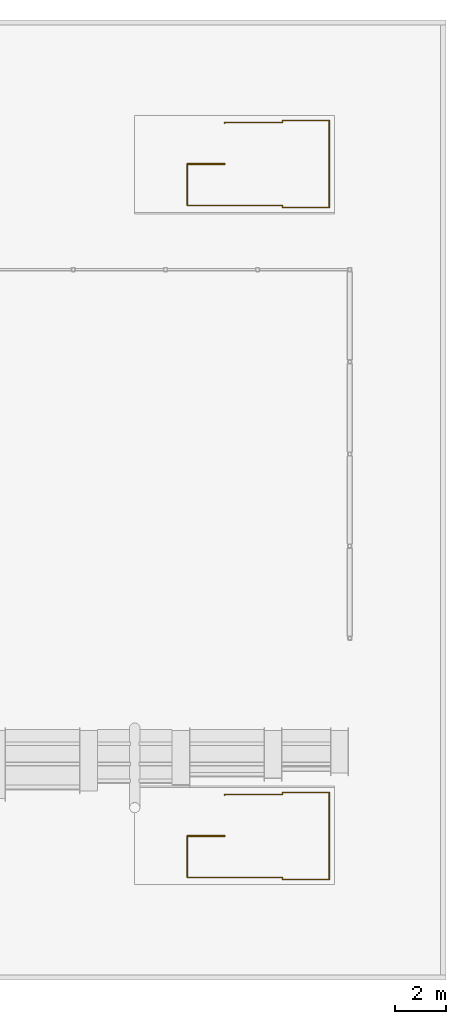
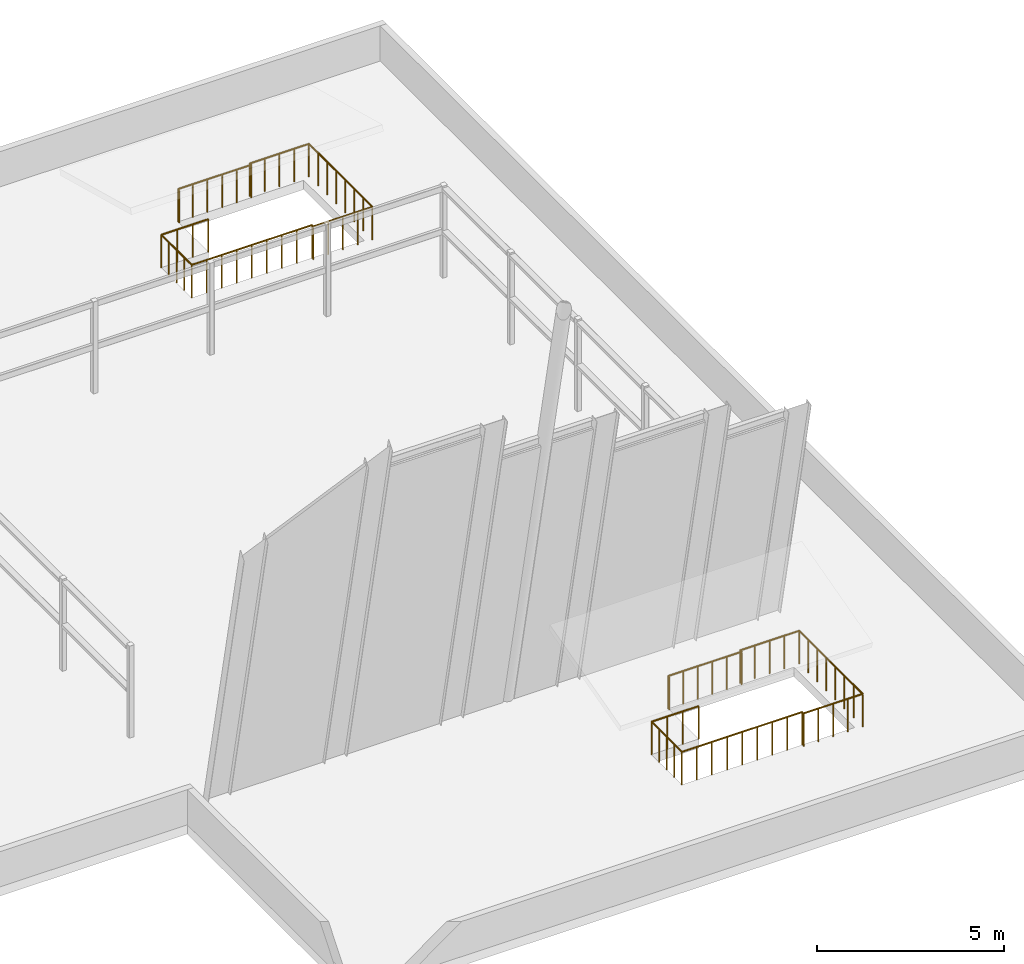
# One storey, part 5 of 5: 4 railings.
"""IFC4 building model written with IfcOpenShell, lengths in metres."""

from ifc_helpers import new_model, si_unit, direction, frame, origin, origin_2d, place, context, subcontext, project, spatial, circle, extrude, material, type_object, element, save


model = new_model("IFC4")

# Units and contexts
model_context = context("Model", 3, precision=1e-05, world=origin(), true_north=direction((0.0, 1.0)))
body_context = subcontext(model_context, "Body", "Model", "MODEL_VIEW")
ifc_project = project(units=[si_unit("LENGTHUNIT", "METRE"), si_unit("AREAUNIT", "SQUARE_METRE"), si_unit("VOLUMEUNIT", "CUBIC_METRE"), si_unit("PLANEANGLEUNIT", "RADIAN"), si_unit("MASSUNIT", "GRAM", prefix="KILO")], contexts=[model_context])

# Site, building, storey
site_placement = place(None, origin())
site = spatial("IfcSite", under=ifc_project, at=site_placement, CompositionType="ELEMENT")
building_placement = place(site_placement, origin())
building = spatial("IfcBuilding", under=site, at=building_placement, Name="Tuart Plaza Theatre", CompositionType="ELEMENT")
storey_placement = place(building_placement, frame((0.0, 0.0, 70.5)))
storey = spatial("IfcBuildingStorey", under=building, at=storey_placement, Name="ROOF", CompositionType="ELEMENT", Elevation=70.5)

# Railings
ifc_material = material(Name="Steel Grade C350L0", Category="steel")
railing_type = type_object("IfcRailingType", Name="RAILING Guard 1100", PredefinedType="GUARDRAIL", material=ifc_material)
railing_1_placement = place(storey_placement, frame((134.655029296875, 60.875, 0.0)))
element("IfcRailing", 1, at=railing_1_placement, inside=storey, type_object=railing_type, Name="GR453", PredefinedType="GUARDRAIL", context=body_context, shape_type="SweptSolid", body=[
    extrude(circle(Radius=0.02490234375, at=origin_2d()), frame((0.0, 0.0, 1.0751953125), z_axis=(1.0, 0.0, 0.0), x_axis=(0.0, 1.0, 0.0)), (0.0, 0.0, 1.0), 1.455078125),
    extrude(circle(Radius=0.02001953125, at=origin_2d()), origin(), (0.0, 0.0, 1.0), 1.050048828125),
    extrude(circle(Radius=0.02001953125, at=origin_2d()), frame((0.485107421875, 0.0, 0.0)), (0.0, 0.0, 1.0), 1.050048828125),
    extrude(circle(Radius=0.02001953125, at=origin_2d()), frame((0.969970703125, 0.0, 0.0)), (0.0, 0.0, 1.0), 1.050048828125),
    extrude(circle(Radius=0.02001953125, at=origin_2d()), frame((1.455078125, 0.0, 0.0)), (0.0, 0.0, 1.0), 1.050048828125),
])
railing_2_placement = place(storey_placement, frame((136.114990234375, 62.455078125, 0.0)))
element("IfcRailing", 2, at=railing_2_placement, inside=storey, type_object=railing_type, Name="GR454", PredefinedType="GUARDRAIL", context=body_context, shape_type="SweptSolid", body=[
    extrude(circle(Radius=0.02490234375, at=origin_2d()), frame((0.0, 0.0, 1.0751953125), z_axis=(0.0, 1.0, 0.0), x_axis=(-1.0, 0.0, 0.0)), (0.0, 0.0, 1.0), 0.044921875),
    extrude(circle(Radius=0.02490234375, at=origin_2d()), frame((0.0, 0.044921875, 1.0751953125), z_axis=(1.0, 0.0, 0.0), x_axis=(0.0, 1.0, 0.0)), (0.0, 0.0, 1.0), 2.260009765625),
    extrude(circle(Radius=0.02490234375, at=origin_2d()), frame((2.260009765625, 0.044921875, 1.0751953125), z_axis=(0.0, 1.0, 0.0), x_axis=(-1.0, 0.0, 0.0)), (0.0, 0.0, 1.0), 0.074951171875),
    extrude(circle(Radius=0.02490234375, at=origin_2d()), frame((2.260009765625, 0.119873046875, 1.0751953125), z_axis=(1.0, 0.0, 0.0), x_axis=(0.0, 1.0, 0.0)), (0.0, 0.0, 1.0), 1.824951171875),
    extrude(circle(Radius=0.02490234375, at=origin_2d()), frame((4.0849609375, 0.119873046875, 1.0751953125), z_axis=(0.0, -1.0, 0.0), x_axis=(1.0, 0.0, 0.0)), (0.0, 0.0, 1.0), 3.39990234375),
    extrude(circle(Radius=0.02490234375, at=origin_2d()), frame((4.0849609375, -3.280029296875, 1.0751953125), z_axis=(-1.0, 0.0, 0.0), x_axis=(0.0, -1.0, 0.0)), (0.0, 0.0, 1.0), 1.824951171875),
    extrude(circle(Radius=0.02490234375, at=origin_2d()), frame((2.260009765625, -3.280029296875, 1.0751953125), z_axis=(0.0, 1.0, 0.0), x_axis=(-1.0, 0.0, 0.0)), (0.0, 0.0, 1.0), 0.074951171875),
    extrude(circle(Radius=0.02490234375, at=origin_2d()), frame((2.260009765625, -3.205078125, 1.0751953125), z_axis=(-1.0, 0.0, 0.0), x_axis=(0.0, -1.0, 0.0)), (0.0, 0.0, 1.0), 3.719970703125),
    extrude(circle(Radius=0.02490234375, at=origin_2d()), frame((-1.4599609375, -3.205078125, 1.0751953125), z_axis=(0.0, 1.0, 0.0), x_axis=(-1.0, 0.0, 0.0)), (0.0, 0.0, 1.0), 1.625),
    extrude(circle(Radius=0.02001953125, at=origin_2d()), origin(), (0.0, 0.0, 1.0), 1.050048828125),
    extrude(circle(Radius=0.02001953125, at=origin_2d()), frame((0.0, 0.044921875, 0.0)), (0.0, 0.0, 1.0), 1.050048828125),
    extrude(circle(Radius=0.02001953125, at=origin_2d()), frame((0.451904296875, 0.044921875, 0.0)), (0.0, 0.0, 1.0), 1.050048828125),
    extrude(circle(Radius=0.02001953125, at=origin_2d()), frame((0.904052734375, 0.044921875, 0.0)), (0.0, 0.0, 1.0), 1.050048828125),
    extrude(circle(Radius=0.02001953125, at=origin_2d()), frame((1.35595703125, 0.044921875, 0.0)), (0.0, 0.0, 1.0), 1.050048828125),
    extrude(circle(Radius=0.02001953125, at=origin_2d()), frame((1.80810546875, 0.044921875, 0.0)), (0.0, 0.0, 1.0), 1.050048828125),
    extrude(circle(Radius=0.02001953125, at=origin_2d()), frame((2.260009765625, 0.044921875, 0.0)), (0.0, 0.0, 1.0), 1.050048828125),
    extrude(circle(Radius=0.02001953125, at=origin_2d()), frame((2.260009765625, 0.119873046875, 0.0)), (0.0, 0.0, 1.0), 1.050048828125),
    extrude(circle(Radius=0.02001953125, at=origin_2d()), frame((2.71630859375, 0.119873046875, 0.0)), (0.0, 0.0, 1.0), 1.050048828125),
    extrude(circle(Radius=0.02001953125, at=origin_2d()), frame((3.17236328125, 0.119873046875, 0.0)), (0.0, 0.0, 1.0), 1.050048828125),
    extrude(circle(Radius=0.02001953125, at=origin_2d()), frame((3.628662109375, 0.119873046875, 0.0)), (0.0, 0.0, 1.0), 1.050048828125),
    extrude(circle(Radius=0.02001953125, at=origin_2d()), frame((4.0849609375, 0.119873046875, 0.0)), (0.0, 0.0, 1.0), 1.050048828125),
    extrude(circle(Radius=0.02001953125, at=origin_2d()), frame((4.0849609375, -0.36572265625, 0.0)), (0.0, 0.0, 1.0), 1.050048828125),
    extrude(circle(Radius=0.02001953125, at=origin_2d()), frame((4.0849609375, -0.8515625, 0.0)), (0.0, 0.0, 1.0), 1.050048828125),
    extrude(circle(Radius=0.02001953125, at=origin_2d()), frame((4.0849609375, -1.337158203125, 0.0)), (0.0, 0.0, 1.0), 1.050048828125),
    extrude(circle(Radius=0.02001953125, at=origin_2d()), frame((4.0849609375, -1.822998046875, 0.0)), (0.0, 0.0, 1.0), 1.050048828125),
    extrude(circle(Radius=0.02001953125, at=origin_2d()), frame((4.0849609375, -2.30859375, 0.0)), (0.0, 0.0, 1.0), 1.050048828125),
    extrude(circle(Radius=0.02001953125, at=origin_2d()), frame((4.0849609375, -2.79443359375, 0.0)), (0.0, 0.0, 1.0), 1.050048828125),
    extrude(circle(Radius=0.02001953125, at=origin_2d()), frame((4.0849609375, -3.280029296875, 0.0)), (0.0, 0.0, 1.0), 1.050048828125),
    extrude(circle(Radius=0.02001953125, at=origin_2d()), frame((3.628662109375, -3.280029296875, 0.0)), (0.0, 0.0, 1.0), 1.050048828125),
    extrude(circle(Radius=0.02001953125, at=origin_2d()), frame((3.17236328125, -3.280029296875, 0.0)), (0.0, 0.0, 1.0), 1.050048828125),
    extrude(circle(Radius=0.02001953125, at=origin_2d()), frame((2.71630859375, -3.280029296875, 0.0)), (0.0, 0.0, 1.0), 1.050048828125),
    extrude(circle(Radius=0.02001953125, at=origin_2d()), frame((2.260009765625, -3.280029296875, 0.0)), (0.0, 0.0, 1.0), 1.050048828125),
    extrude(circle(Radius=0.02001953125, at=origin_2d()), frame((2.260009765625, -3.205078125, 0.0)), (0.0, 0.0, 1.0), 1.050048828125),
    extrude(circle(Radius=0.02001953125, at=origin_2d()), frame((1.794921875, -3.205078125, 0.0)), (0.0, 0.0, 1.0), 1.050048828125),
    extrude(circle(Radius=0.02001953125, at=origin_2d()), frame((1.330078125, -3.205078125, 0.0)), (0.0, 0.0, 1.0), 1.050048828125),
    extrude(circle(Radius=0.02001953125, at=origin_2d()), frame((0.864990234375, -3.205078125, 0.0)), (0.0, 0.0, 1.0), 1.050048828125),
    extrude(circle(Radius=0.02001953125, at=origin_2d()), frame((0.39990234375, -3.205078125, 0.0)), (0.0, 0.0, 1.0), 1.050048828125),
    extrude(circle(Radius=0.02001953125, at=origin_2d()), frame((-0.06494140625, -3.205078125, 0.0)), (0.0, 0.0, 1.0), 1.050048828125),
    extrude(circle(Radius=0.02001953125, at=origin_2d()), frame((-0.530029296875, -3.205078125, 0.0)), (0.0, 0.0, 1.0), 1.050048828125),
    extrude(circle(Radius=0.02001953125, at=origin_2d()), frame((-0.994873046875, -3.205078125, 0.0)), (0.0, 0.0, 1.0), 1.050048828125),
    extrude(circle(Radius=0.02001953125, at=origin_2d()), frame((-1.4599609375, -3.205078125, 0.0)), (0.0, 0.0, 1.0), 1.050048828125),
    extrude(circle(Radius=0.02001953125, at=origin_2d()), frame((-1.4599609375, -2.798828125, 0.0)), (0.0, 0.0, 1.0), 1.050048828125),
    extrude(circle(Radius=0.02001953125, at=origin_2d()), frame((-1.4599609375, -2.392578125, 0.0)), (0.0, 0.0, 1.0), 1.050048828125),
    extrude(circle(Radius=0.02001953125, at=origin_2d()), frame((-1.4599609375, -1.986328125, 0.0)), (0.0, 0.0, 1.0), 1.050048828125),
    extrude(circle(Radius=0.02001953125, at=origin_2d()), frame((-1.4599609375, -1.580078125, 0.0)), (0.0, 0.0, 1.0), 1.050048828125),
])
railing_3_placement = place(storey_placement, frame((134.655029296875, 87.125, 0.0)))
element("IfcRailing", 3, at=railing_3_placement, inside=storey, type_object=railing_type, Name="GR458", PredefinedType="GUARDRAIL", context=body_context, shape_type="SweptSolid", body=[
    extrude(circle(Radius=0.02490234375, at=origin_2d()), frame((0.0, 0.0, 1.0751953125), z_axis=(1.0, 0.0, 0.0), x_axis=(0.0, 1.0, 0.0)), (0.0, 0.0, 1.0), 1.455078125),
    extrude(circle(Radius=0.02001953125, at=origin_2d()), origin(), (0.0, 0.0, 1.0), 1.050048828125),
    extrude(circle(Radius=0.02001953125, at=origin_2d()), frame((0.485107421875, 0.0, 0.0)), (0.0, 0.0, 1.0), 1.050048828125),
    extrude(circle(Radius=0.02001953125, at=origin_2d()), frame((0.969970703125, 0.0, 0.0)), (0.0, 0.0, 1.0), 1.050048828125),
    extrude(circle(Radius=0.02001953125, at=origin_2d()), frame((1.455078125, 0.0, 0.0)), (0.0, 0.0, 1.0), 1.050048828125),
])
railing_4_placement = place(storey_placement, frame((136.114990234375, 88.705078125, 0.0)))
element("IfcRailing", 4, at=railing_4_placement, inside=storey, type_object=railing_type, Name="GR459", PredefinedType="GUARDRAIL", context=body_context, shape_type="SweptSolid", body=[
    extrude(circle(Radius=0.02490234375, at=origin_2d()), frame((0.0, 0.0, 1.0751953125), z_axis=(0.0, 1.0, 0.0), x_axis=(-1.0, 0.0, 0.0)), (0.0, 0.0, 1.0), 0.044921875),
    extrude(circle(Radius=0.02490234375, at=origin_2d()), frame((0.0, 0.044921875, 1.0751953125), z_axis=(1.0, 0.0, 0.0), x_axis=(0.0, 1.0, 0.0)), (0.0, 0.0, 1.0), 2.260009765625),
    extrude(circle(Radius=0.02490234375, at=origin_2d()), frame((2.260009765625, 0.044921875, 1.0751953125), z_axis=(0.0, 1.0, 0.0), x_axis=(-1.0, 0.0, 0.0)), (0.0, 0.0, 1.0), 0.074951171875),
    extrude(circle(Radius=0.02490234375, at=origin_2d()), frame((2.260009765625, 0.119873046875, 1.0751953125), z_axis=(1.0, 0.0, 0.0), x_axis=(0.0, 1.0, 0.0)), (0.0, 0.0, 1.0), 1.824951171875),
    extrude(circle(Radius=0.02490234375, at=origin_2d()), frame((4.0849609375, 0.119873046875, 1.0751953125), z_axis=(0.0, -1.0, 0.0), x_axis=(1.0, 0.0, 0.0)), (0.0, 0.0, 1.0), 3.39990234375),
    extrude(circle(Radius=0.02490234375, at=origin_2d()), frame((4.0849609375, -3.280029296875, 1.0751953125), z_axis=(-1.0, 0.0, 0.0), x_axis=(0.0, -1.0, 0.0)), (0.0, 0.0, 1.0), 1.824951171875),
    extrude(circle(Radius=0.02490234375, at=origin_2d()), frame((2.260009765625, -3.280029296875, 1.0751953125), z_axis=(0.0, 1.0, 0.0), x_axis=(-1.0, 0.0, 0.0)), (0.0, 0.0, 1.0), 0.074951171875),
    extrude(circle(Radius=0.02490234375, at=origin_2d()), frame((2.260009765625, -3.205078125, 1.0751953125), z_axis=(-1.0, 0.0, 0.0), x_axis=(0.0, -1.0, 0.0)), (0.0, 0.0, 1.0), 3.719970703125),
    extrude(circle(Radius=0.02490234375, at=origin_2d()), frame((-1.4599609375, -3.205078125, 1.0751953125), z_axis=(0.0, 1.0, 0.0), x_axis=(-1.0, 0.0, 0.0)), (0.0, 0.0, 1.0), 1.625),
    extrude(circle(Radius=0.02001953125, at=origin_2d()), origin(), (0.0, 0.0, 1.0), 1.050048828125),
    extrude(circle(Radius=0.02001953125, at=origin_2d()), frame((0.0, 0.044921875, 0.0)), (0.0, 0.0, 1.0), 1.050048828125),
    extrude(circle(Radius=0.02001953125, at=origin_2d()), frame((0.451904296875, 0.044921875, 0.0)), (0.0, 0.0, 1.0), 1.050048828125),
    extrude(circle(Radius=0.02001953125, at=origin_2d()), frame((0.904052734375, 0.044921875, 0.0)), (0.0, 0.0, 1.0), 1.050048828125),
    extrude(circle(Radius=0.02001953125, at=origin_2d()), frame((1.35595703125, 0.044921875, 0.0)), (0.0, 0.0, 1.0), 1.050048828125),
    extrude(circle(Radius=0.02001953125, at=origin_2d()), frame((1.80810546875, 0.044921875, 0.0)), (0.0, 0.0, 1.0), 1.050048828125),
    extrude(circle(Radius=0.02001953125, at=origin_2d()), frame((2.260009765625, 0.044921875, 0.0)), (0.0, 0.0, 1.0), 1.050048828125),
    extrude(circle(Radius=0.02001953125, at=origin_2d()), frame((2.260009765625, 0.119873046875, 0.0)), (0.0, 0.0, 1.0), 1.050048828125),
    extrude(circle(Radius=0.02001953125, at=origin_2d()), frame((2.71630859375, 0.119873046875, 0.0)), (0.0, 0.0, 1.0), 1.050048828125),
    extrude(circle(Radius=0.02001953125, at=origin_2d()), frame((3.17236328125, 0.119873046875, 0.0)), (0.0, 0.0, 1.0), 1.050048828125),
    extrude(circle(Radius=0.02001953125, at=origin_2d()), frame((3.628662109375, 0.119873046875, 0.0)), (0.0, 0.0, 1.0), 1.050048828125),
    extrude(circle(Radius=0.02001953125, at=origin_2d()), frame((4.0849609375, 0.119873046875, 0.0)), (0.0, 0.0, 1.0), 1.050048828125),
    extrude(circle(Radius=0.02001953125, at=origin_2d()), frame((4.0849609375, -0.36572265625, 0.0)), (0.0, 0.0, 1.0), 1.050048828125),
    extrude(circle(Radius=0.02001953125, at=origin_2d()), frame((4.0849609375, -0.8515625, 0.0)), (0.0, 0.0, 1.0), 1.050048828125),
    extrude(circle(Radius=0.02001953125, at=origin_2d()), frame((4.0849609375, -1.337158203125, 0.0)), (0.0, 0.0, 1.0), 1.050048828125),
    extrude(circle(Radius=0.02001953125, at=origin_2d()), frame((4.0849609375, -1.822998046875, 0.0)), (0.0, 0.0, 1.0), 1.050048828125),
    extrude(circle(Radius=0.02001953125, at=origin_2d()), frame((4.0849609375, -2.30859375, 0.0)), (0.0, 0.0, 1.0), 1.050048828125),
    extrude(circle(Radius=0.02001953125, at=origin_2d()), frame((4.0849609375, -2.79443359375, 0.0)), (0.0, 0.0, 1.0), 1.050048828125),
    extrude(circle(Radius=0.02001953125, at=origin_2d()), frame((4.0849609375, -3.280029296875, 0.0)), (0.0, 0.0, 1.0), 1.050048828125),
    extrude(circle(Radius=0.02001953125, at=origin_2d()), frame((3.628662109375, -3.280029296875, 0.0)), (0.0, 0.0, 1.0), 1.050048828125),
    extrude(circle(Radius=0.02001953125, at=origin_2d()), frame((3.17236328125, -3.280029296875, 0.0)), (0.0, 0.0, 1.0), 1.050048828125),
    extrude(circle(Radius=0.02001953125, at=origin_2d()), frame((2.71630859375, -3.280029296875, 0.0)), (0.0, 0.0, 1.0), 1.050048828125),
    extrude(circle(Radius=0.02001953125, at=origin_2d()), frame((2.260009765625, -3.280029296875, 0.0)), (0.0, 0.0, 1.0), 1.050048828125),
    extrude(circle(Radius=0.02001953125, at=origin_2d()), frame((2.260009765625, -3.205078125, 0.0)), (0.0, 0.0, 1.0), 1.050048828125),
    extrude(circle(Radius=0.02001953125, at=origin_2d()), frame((1.794921875, -3.205078125, 0.0)), (0.0, 0.0, 1.0), 1.050048828125),
    extrude(circle(Radius=0.02001953125, at=origin_2d()), frame((1.330078125, -3.205078125, 0.0)), (0.0, 0.0, 1.0), 1.050048828125),
    extrude(circle(Radius=0.02001953125, at=origin_2d()), frame((0.864990234375, -3.205078125, 0.0)), (0.0, 0.0, 1.0), 1.050048828125),
    extrude(circle(Radius=0.02001953125, at=origin_2d()), frame((0.39990234375, -3.205078125, 0.0)), (0.0, 0.0, 1.0), 1.050048828125),
    extrude(circle(Radius=0.02001953125, at=origin_2d()), frame((-0.06494140625, -3.205078125, 0.0)), (0.0, 0.0, 1.0), 1.050048828125),
    extrude(circle(Radius=0.02001953125, at=origin_2d()), frame((-0.530029296875, -3.205078125, 0.0)), (0.0, 0.0, 1.0), 1.050048828125),
    extrude(circle(Radius=0.02001953125, at=origin_2d()), frame((-0.994873046875, -3.205078125, 0.0)), (0.0, 0.0, 1.0), 1.050048828125),
    extrude(circle(Radius=0.02001953125, at=origin_2d()), frame((-1.4599609375, -3.205078125, 0.0)), (0.0, 0.0, 1.0), 1.050048828125),
    extrude(circle(Radius=0.02001953125, at=origin_2d()), frame((-1.4599609375, -2.798828125, 0.0)), (0.0, 0.0, 1.0), 1.050048828125),
    extrude(circle(Radius=0.02001953125, at=origin_2d()), frame((-1.4599609375, -2.392578125, 0.0)), (0.0, 0.0, 1.0), 1.050048828125),
    extrude(circle(Radius=0.02001953125, at=origin_2d()), frame((-1.4599609375, -1.986328125, 0.0)), (0.0, 0.0, 1.0), 1.050048828125),
    extrude(circle(Radius=0.02001953125, at=origin_2d()), frame((-1.4599609375, -1.580078125, 0.0)), (0.0, 0.0, 1.0), 1.050048828125),
])

save(model, "model.ifc")
